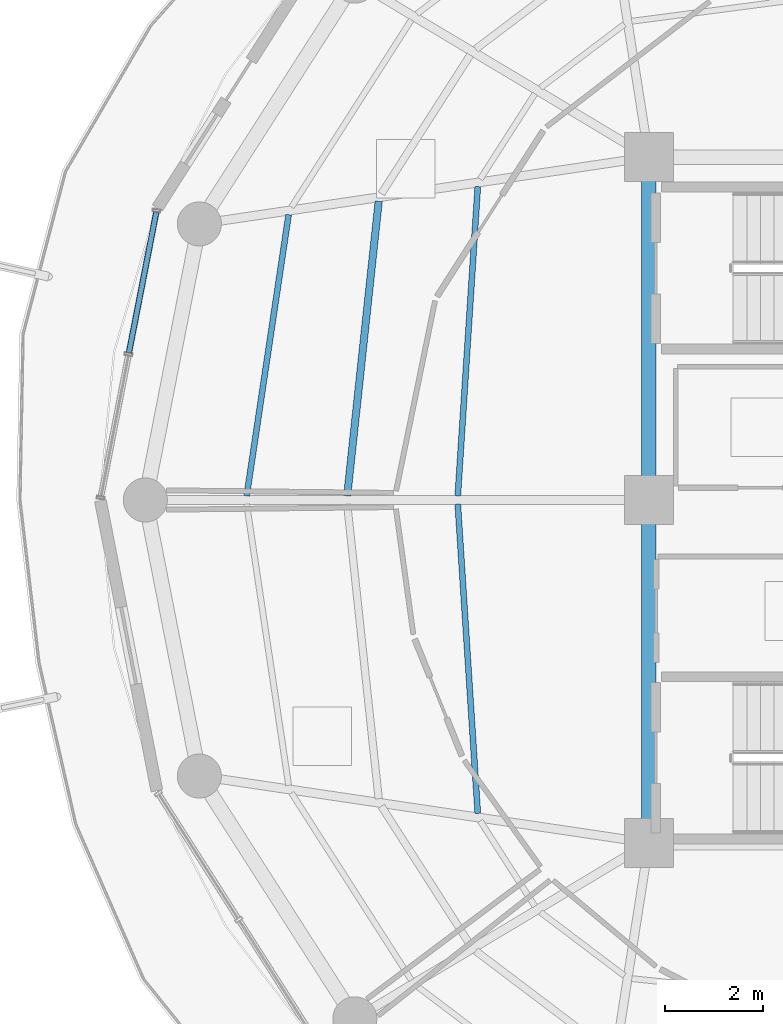
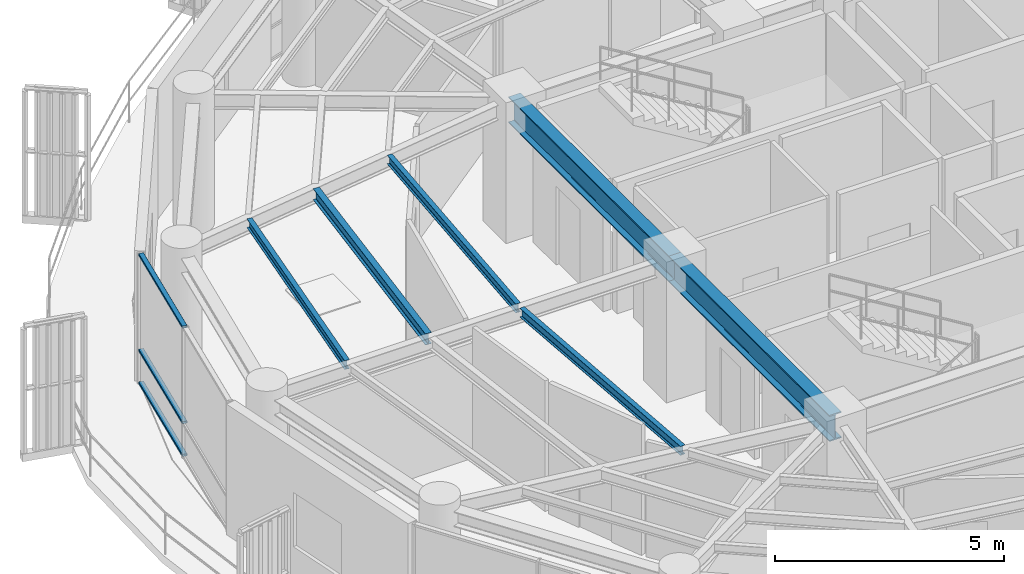
# One storey, part 6 of 22: 6 beams, 3 members, 1 element without a shape of its own.
"""IFC4 building model written with IfcOpenShell, lengths in metres."""

from ifc_helpers import new_model, si_unit, direction, frame, origin, origin_2d, place, context, subcontext, project, spatial, hollow_rectangle, i_section, extrude, material, layer, layer_set, material_profile, profile_set, type_object, element, aggregate, save


model = new_model("IFC4")

# Units and contexts
model_context = context("Model", 3, precision=1e-05, world=origin(), true_north=direction((0.0, 1.0)))
body_context = subcontext(model_context, "Body", "Model", "MODEL_VIEW")
ifc_project = project(units=[si_unit("LENGTHUNIT", "METRE"), si_unit("AREAUNIT", "SQUARE_METRE"), si_unit("VOLUMEUNIT", "CUBIC_METRE"), si_unit("PLANEANGLEUNIT", "RADIAN"), si_unit("MASSUNIT", "GRAM", prefix="KILO")], contexts=[model_context])

# Site, building, storey
site_placement = place(None, origin())
site = spatial("IfcSite", under=ifc_project, at=site_placement, CompositionType="ELEMENT")
building_placement = place(site_placement, origin())
building = spatial("IfcBuilding", under=site, at=building_placement, Name="Kelanora Arch Commons", CompositionType="ELEMENT")
storey_placement = place(building_placement, frame((0.0, 0.0, 267.449951171875)))
storey = spatial("IfcBuildingStorey", under=building, at=storey_placement, Name="L68", CompositionType="ELEMENT", Elevation=267.449951171875)

# Beams
ifc_material_1 = material(Name="Steel S355", Category="steel")
ifc_material_profile_1 = material_profile(ifc_material_1, i_section(OverallWidth=0.300048828125, OverallDepth=0.699951171875, WebThickness=0.01708984375, FlangeThickness=0.031982421875, FilletRadius=0.027099609375, at=origin_2d()), Name="HEB700")
ifc_profile_set_1 = profile_set([ifc_material_profile_1], Name="Steel S355")
beam_type_1 = type_object("IfcBeamType", Name="BM-CORE-HDR", PredefinedType="BEAM", material=ifc_profile_set_1)
for number, where, z_axis, x_axis, name in (
    (1, (66.0, 65.0, 3.14013671875), (0.0, -1.0, 0.0), (1.0, 0.0, 0.0), "Core Header Beam 08 L68"),
    (2, (66.0, 58.0, 3.14013671875), (0.0, -1.0, 0.0), (1.0, 0.0, 0.0), "Core Header Beam 09 L68"),
):
    element("IfcBeam", number, at=place(storey_placement, frame(where, z_axis=z_axis, x_axis=x_axis)), inside=storey, type_object=beam_type_1, Name=name, PredefinedType="BEAM", context=body_context, shape_type="SweptSolid", body=[
        extrude(i_section(OverallWidth=0.300048828125, OverallDepth=0.699951171875, WebThickness=0.01708984375, FlangeThickness=0.031982421875, FilletRadius=0.027099609375, at=origin_2d()), origin(), (0.0, 0.0, 1.0), 7.0),
    ])
ifc_material_profile_2 = material_profile(ifc_material_1, i_section(OverallWidth=0.14990234375, OverallDepth=0.300048828125, WebThickness=0.007080078125, FlangeThickness=0.0107421875, FilletRadius=0.014892578125, at=origin_2d()), Name="IPE300")
ifc_profile_set_2 = profile_set([ifc_material_profile_2], Name="Steel S355")
beam_type_2 = type_object("IfcBeamType", Name="BM-JST-01", PredefinedType="JOIST", material=ifc_profile_set_2)
beam_1_placement = place(storey_placement, frame((60.484375, 64.097412109375, 3.340087890625), z_axis=(-0.106380594087, -0.994325484538, 0.0), x_axis=(0.994325484538, -0.106380594087, 0.0)))
element("IfcBeam", 3, at=beam_1_placement, inside=storey, type_object=beam_type_2, Name="Secondary Chord Joist BJB-16 L68", PredefinedType="JOIST", context=body_context, shape_type="SweptSolid", body=[
    extrude(i_section(OverallWidth=0.14990234375, OverallDepth=0.300048828125, WebThickness=0.007080078125, FlangeThickness=0.0107421875, FilletRadius=0.014892578125, at=origin_2d()), origin(), (0.0, 0.0, 1.0), 6.04736328125),
])
ifc_material_profile_3 = material_profile(ifc_material_1, i_section(OverallWidth=0.1201171875, OverallDepth=0.239990234375, WebThickness=0.006103515625, FlangeThickness=0.009765625, FilletRadius=0.014892578125, at=origin_2d()), Name="IPE240")
ifc_profile_set_3 = profile_set([ifc_material_profile_3], Name="Steel S355")
beam_type_3 = type_object("IfcBeamType", Name="BM-JST-02", PredefinedType="JOIST", material=ifc_profile_set_3)
beam_2_placement = place(storey_placement, frame((62.507080078125, 64.39697265625, 3.3701171875), z_axis=(-0.064495107978, -0.99791802321, 0.0), x_axis=(0.99791802321, -0.064495107978, 0.0)))
element("IfcBeam", 4, at=beam_2_placement, inside=storey, type_object=beam_type_3, Name="Secondary Chord Joist BJA-16 L68", PredefinedType="JOIST", context=body_context, shape_type="SweptSolid", body=[
    extrude(i_section(OverallWidth=0.1201171875, OverallDepth=0.239990234375, WebThickness=0.006103515625, FlangeThickness=0.009765625, FilletRadius=0.014892578125, at=origin_2d()), origin(), (0.0, 0.0, 1.0), 6.325439453125),
])
beam_3_placement = place(storey_placement, frame((58.6455078125, 63.8251953125, 3.3701171875), z_axis=(-0.14762470282, -0.989043450571, 0.0), x_axis=(0.989043450571, -0.14762470282, 0.0)))
element("IfcBeam", 5, at=beam_3_placement, inside=storey, type_object=beam_type_3, Name="Secondary Chord Joist BJC-16 L68", PredefinedType="JOIST", context=body_context, shape_type="SweptSolid", body=[
    extrude(i_section(OverallWidth=0.1201171875, OverallDepth=0.239990234375, WebThickness=0.006103515625, FlangeThickness=0.009765625, FilletRadius=0.014892578125, at=origin_2d()), origin(), (0.0, 0.0, 1.0), 5.804931640625),
])
beam_4_placement = place(storey_placement, frame((62.09912109375, 57.915283203125, 3.3701171875), z_axis=(0.064495107978, -0.99791802321, 0.0), x_axis=(0.99791802321, 0.064495107978, 0.0)))
element("IfcBeam", 6, at=beam_4_placement, inside=storey, type_object=beam_type_3, Name="Secondary Chord Joist BJA-18 L68", PredefinedType="JOIST", context=body_context, shape_type="SweptSolid", body=[
    extrude(i_section(OverallWidth=0.1201171875, OverallDepth=0.239990234375, WebThickness=0.006103515625, FlangeThickness=0.009765625, FilletRadius=0.014892578125, at=origin_2d()), origin(), (0.0, 0.0, 1.0), 6.325439453125),
])

# Curtain wall, members
ifc_material_2 = material(Name="Terracotta ceramic-fritted low-E glass and aluminium", Category="masonry")
ifc_layer = layer(ifc_material_2, 0.18994140625)
ifc_layer_set = layer_set([ifc_layer], Name="Terracotta ceramic-fritted low-E glass and aluminium")
curtain_wall_type = type_object("IfcCurtainWallType", Name="CW-SYS-03", PredefinedType="NOTDEFINED", material=ifc_layer_set)
curtain_wall_placement = place(storey_placement, origin())
curtain_wall = element("IfcCurtainWall", 7, at=curtain_wall_placement, inside=storey, type_object=curtain_wall_type, Name="Unitised Curtain Wall L68-B08", PredefinedType="NOTDEFINED")
ifc_material_3 = material(Name="Powder-coated aluminium terracotta", Category="masonry")
ifc_material_profile_4 = material_profile(ifc_material_3, hollow_rectangle(XDim=0.1201171875, YDim=0.06005859375, WallThickness=0.0048828125, InnerFilletRadius=0.0048828125, OuterFilletRadius=0.010009765625, at=origin_2d()), Name="CWT120x60")
ifc_profile_set_4 = profile_set([ifc_material_profile_4], Name="Powder-coated aluminium terracotta")
member_type = type_object("IfcMemberType", Name="CWT-STD", PredefinedType="USERDEFINED", material=ifc_profile_set_4)
member_1_placement = place(storey_placement, frame((55.943603515625, 63.877685546875, 0.030029296875), z_axis=(-0.190963443354, -0.981597149192, 0.0), x_axis=(0.981597149192, -0.190963443354, 0.0)))
member_1 = element("IfcMember", 8, at=member_1_placement, type_object=member_type, Name="CW-03 transom 1.1", ObjectType="TRANSOM", PredefinedType="USERDEFINED", context=body_context, shape_type="SweptSolid", body=[
    extrude(hollow_rectangle(XDim=0.1201171875, YDim=0.06005859375, WallThickness=0.0048828125, InnerFilletRadius=0.0048828125, OuterFilletRadius=0.010009765625, at=origin_2d()), origin(), (0.0, 0.0, 1.0), 2.926513671875),
])
member_2_placement = place(storey_placement, frame((55.943603515625, 63.877685546875, 0.900146484375), z_axis=(-0.190963443354, -0.981597149192, 0.0), x_axis=(0.981597149192, -0.190963443354, 0.0)))
member_2 = element("IfcMember", 9, at=member_2_placement, type_object=member_type, Name="CW-03 transom 1.2", ObjectType="TRANSOM", PredefinedType="USERDEFINED", context=body_context, shape_type="SweptSolid", body=[
    extrude(hollow_rectangle(XDim=0.1201171875, YDim=0.06005859375, WallThickness=0.0048828125, InnerFilletRadius=0.0048828125, OuterFilletRadius=0.010009765625, at=origin_2d()), origin(), (0.0, 0.0, 1.0), 2.926513671875),
])
member_3_placement = place(storey_placement, frame((55.943603515625, 63.877685546875, 3.445068359375), z_axis=(-0.190963443354, -0.981597149192, 0.0), x_axis=(0.981597149192, -0.190963443354, 0.0)))
member_3 = element("IfcMember", 10, at=member_3_placement, type_object=member_type, Name="CW-03 transom 1.3", ObjectType="TRANSOM", PredefinedType="USERDEFINED", context=body_context, shape_type="SweptSolid", body=[
    extrude(hollow_rectangle(XDim=0.1201171875, YDim=0.06005859375, WallThickness=0.0048828125, InnerFilletRadius=0.0048828125, OuterFilletRadius=0.010009765625, at=origin_2d()), origin(), (0.0, 0.0, 1.0), 2.926513671875),
])
aggregate(curtain_wall, [member_1, member_2, member_3])

save(model, "model.ifc")
